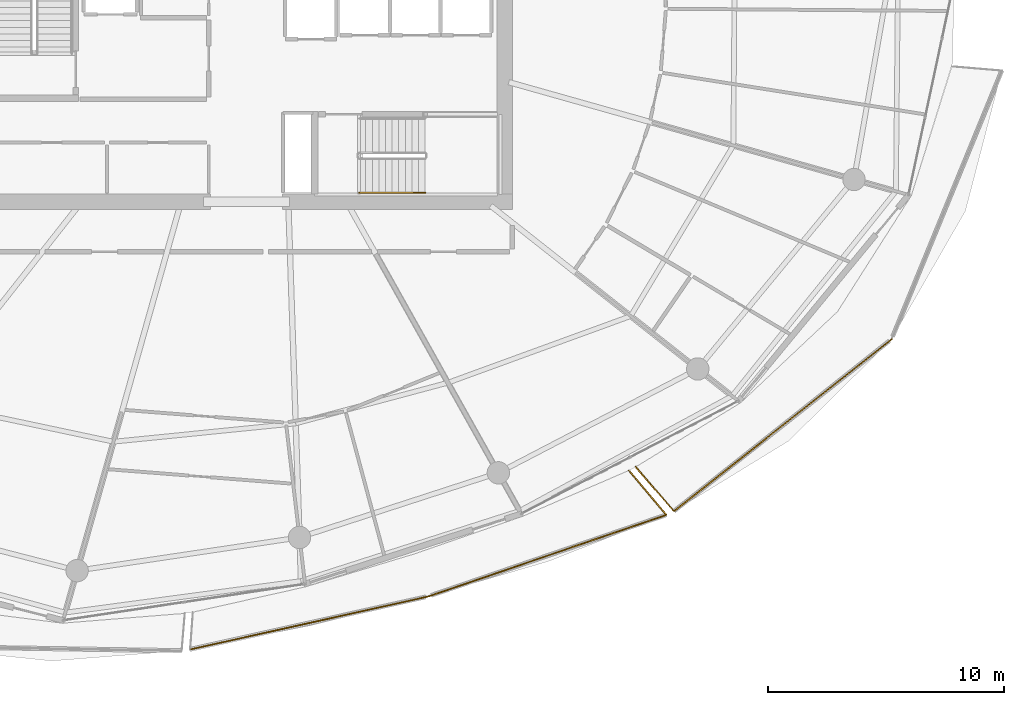
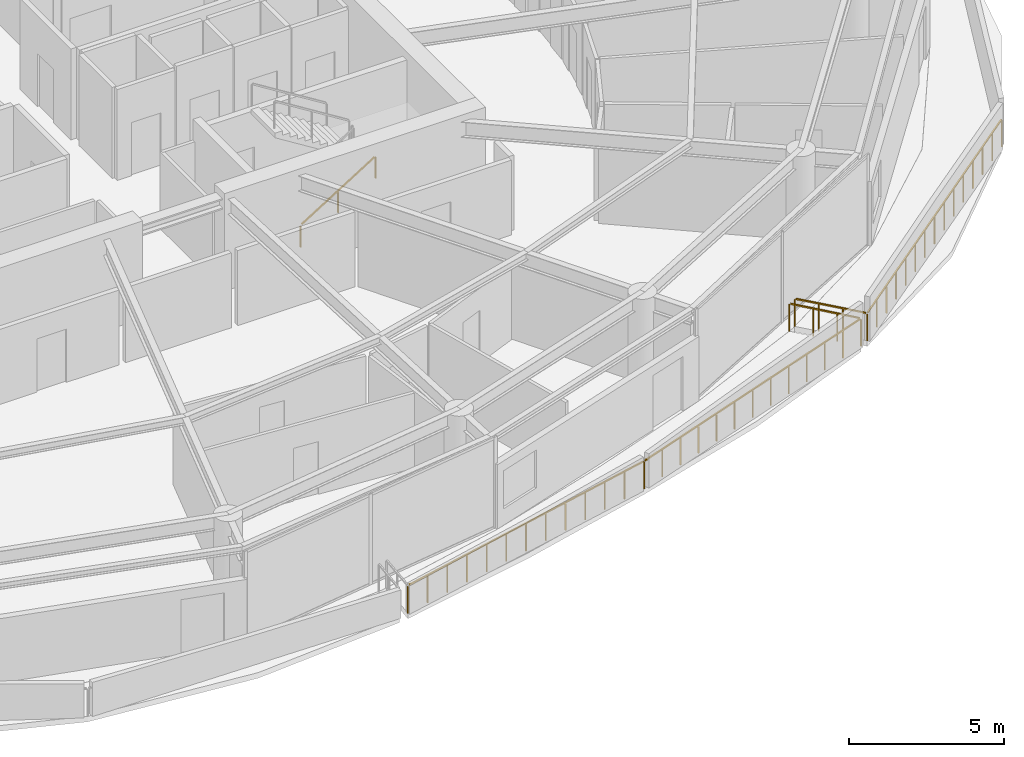
# One storey, part 25 of 29: 6 railings.
"""IFC4 building model written with IfcOpenShell, lengths in metres."""

from ifc_helpers import new_model, si_unit, direction, frame, origin, origin_2d, place, context, subcontext, project, spatial, rectangle, extrude, material, type_object, element, save


model = new_model("IFC4")

# Units and contexts
model_context = context("Model", 3, precision=1e-05, world=origin(), true_north=direction((0.0, 1.0)))
body_context = subcontext(model_context, "Body", "Model", "MODEL_VIEW")
ifc_project = project(units=[si_unit("LENGTHUNIT", "METRE"), si_unit("AREAUNIT", "SQUARE_METRE"), si_unit("VOLUMEUNIT", "CUBIC_METRE"), si_unit("PLANEANGLEUNIT", "RADIAN"), si_unit("MASSUNIT", "GRAM", prefix="KILO")], contexts=[model_context])

# Site, building, storey
site_placement = place(None, origin())
site = spatial("IfcSite", under=ifc_project, at=site_placement, CompositionType="ELEMENT")
building_placement = place(site_placement, origin())
building = spatial("IfcBuilding", under=site, at=building_placement, Name="Kazma Halo Residences", CompositionType="ELEMENT")
storey_placement = place(building_placement, frame((0.0, 0.0, 252.10009765625)))
storey = spatial("IfcBuildingStorey", under=building, at=storey_placement, Name="L63", CompositionType="ELEMENT", Elevation=252.10009765625)

# Railings
ifc_material_1 = material(Name="Aluminium AW-6063 T6 Brushed Cap Rail", Category="aluminium")
railing_type_1 = type_object("IfcRailingType", Name="RLG-BAL-CAP-1120", PredefinedType="BALUSTRADE", material=ifc_material_1)
railing_1_placement = place(storey_placement, frame((46.01708984375, 14.672607421875, 0.0)))
element("IfcRailing", 1, at=railing_1_placement, inside=storey, type_object=railing_type_1, Name="L63 SSE wave balcony guard 2", PredefinedType="BALUSTRADE", context=body_context, shape_type="SweptSolid", body=[
    extrude(rectangle(XDim=0.050048828125, YDim=0.050048828125, at=origin_2d()), frame((0.04150390625, 0.00927734375, 1.09521484375), z_axis=(0.976128347195, 0.217194497633, 0.0), x_axis=(-0.217194497633, 0.976128347195, 0.0)), (0.0, 0.0, 1.0), 10.292236328125),
    extrude(rectangle(XDim=0.0400390625, YDim=0.0400390625, at=origin_2d()), origin(), (0.0, 0.0, 1.0), 1.05810546875),
    extrude(rectangle(XDim=0.0400390625, YDim=0.0400390625, at=origin_2d()), frame((0.84423828125, 0.187744140625, 0.0)), (0.0, 0.0, 1.0), 1.05810546875),
    extrude(rectangle(XDim=0.0400390625, YDim=0.0400390625, at=origin_2d()), frame((1.688232421875, 0.375732421875, 0.0)), (0.0, 0.0, 1.0), 1.05810546875),
    extrude(rectangle(XDim=0.0400390625, YDim=0.0400390625, at=origin_2d()), frame((2.532470703125, 0.5634765625, 0.0)), (0.0, 0.0, 1.0), 1.05810546875),
    extrude(rectangle(XDim=0.0400390625, YDim=0.0400390625, at=origin_2d()), frame((3.37646484375, 0.751220703125, 0.0)), (0.0, 0.0, 1.0), 1.05810546875),
    extrude(rectangle(XDim=0.0400390625, YDim=0.0400390625, at=origin_2d()), frame((4.220703125, 0.939208984375, 0.0)), (0.0, 0.0, 1.0), 1.05810546875),
    extrude(rectangle(XDim=0.0400390625, YDim=0.0400390625, at=origin_2d()), frame((5.06494140625, 1.126953125, 0.0)), (0.0, 0.0, 1.0), 1.05810546875),
    extrude(rectangle(XDim=0.0400390625, YDim=0.0400390625, at=origin_2d()), frame((5.908935546875, 1.314697265625, 0.0)), (0.0, 0.0, 1.0), 1.05810546875),
    extrude(rectangle(XDim=0.0400390625, YDim=0.0400390625, at=origin_2d()), frame((6.753173828125, 1.502685546875, 0.0)), (0.0, 0.0, 1.0), 1.05810546875),
    extrude(rectangle(XDim=0.0400390625, YDim=0.0400390625, at=origin_2d()), frame((7.59716796875, 1.6904296875, 0.0)), (0.0, 0.0, 1.0), 1.05810546875),
    extrude(rectangle(XDim=0.0400390625, YDim=0.0400390625, at=origin_2d()), frame((8.44140625, 1.878173828125, 0.0)), (0.0, 0.0, 1.0), 1.05810546875),
    extrude(rectangle(XDim=0.0400390625, YDim=0.0400390625, at=origin_2d()), frame((9.285400390625, 2.066162109375, 0.0)), (0.0, 0.0, 1.0), 1.05810546875),
    extrude(rectangle(XDim=0.0400390625, YDim=0.0400390625, at=origin_2d()), frame((10.129638671875, 2.25390625, 0.0)), (0.0, 0.0, 1.0), 1.05810546875),
])
railing_2_placement = place(storey_placement, frame((56.146728515625, 16.926513671875, 0.0)))
element("IfcRailing", 2, at=railing_2_placement, inside=storey, type_object=railing_type_1, Name="L63 SSE wave balcony guard 3", PredefinedType="BALUSTRADE", context=body_context, shape_type="SweptSolid", body=[
    extrude(rectangle(XDim=0.050048828125, YDim=0.050048828125, at=origin_2d()), frame((0.040283203125, 0.013671875, 1.09521484375), z_axis=(0.945989483895, 0.324197310845, 0.0), x_axis=(-0.324197310845, 0.945989483895, 0.0)), (0.0, 0.0, 1.0), 10.5791015625),
    extrude(rectangle(XDim=0.0400390625, YDim=0.0400390625, at=origin_2d()), origin(), (0.0, 0.0, 1.0), 1.05810546875),
    extrude(rectangle(XDim=0.0400390625, YDim=0.0400390625, at=origin_2d()), frame((0.840576171875, 0.2880859375, 0.0)), (0.0, 0.0, 1.0), 1.05810546875),
    extrude(rectangle(XDim=0.0400390625, YDim=0.0400390625, at=origin_2d()), frame((1.681396484375, 0.576171875, 0.0)), (0.0, 0.0, 1.0), 1.05810546875),
    extrude(rectangle(XDim=0.0400390625, YDim=0.0400390625, at=origin_2d()), frame((2.52197265625, 0.8642578125, 0.0)), (0.0, 0.0, 1.0), 1.05810546875),
    extrude(rectangle(XDim=0.0400390625, YDim=0.0400390625, at=origin_2d()), frame((3.36279296875, 1.15234375, 0.0)), (0.0, 0.0, 1.0), 1.05810546875),
    extrude(rectangle(XDim=0.0400390625, YDim=0.0400390625, at=origin_2d()), frame((4.203369140625, 1.4404296875, 0.0)), (0.0, 0.0, 1.0), 1.05810546875),
    extrude(rectangle(XDim=0.0400390625, YDim=0.0400390625, at=origin_2d()), frame((5.0439453125, 1.728515625, 0.0)), (0.0, 0.0, 1.0), 1.05810546875),
    extrude(rectangle(XDim=0.0400390625, YDim=0.0400390625, at=origin_2d()), frame((5.884765625, 2.016845703125, 0.0)), (0.0, 0.0, 1.0), 1.05810546875),
    extrude(rectangle(XDim=0.0400390625, YDim=0.0400390625, at=origin_2d()), frame((6.725341796875, 2.304931640625, 0.0)), (0.0, 0.0, 1.0), 1.05810546875),
    extrude(rectangle(XDim=0.0400390625, YDim=0.0400390625, at=origin_2d()), frame((7.566162109375, 2.593017578125, 0.0)), (0.0, 0.0, 1.0), 1.05810546875),
    extrude(rectangle(XDim=0.0400390625, YDim=0.0400390625, at=origin_2d()), frame((8.40673828125, 2.881103515625, 0.0)), (0.0, 0.0, 1.0), 1.05810546875),
    extrude(rectangle(XDim=0.0400390625, YDim=0.0400390625, at=origin_2d()), frame((9.24755859375, 3.169189453125, 0.0)), (0.0, 0.0, 1.0), 1.05810546875),
    extrude(rectangle(XDim=0.0400390625, YDim=0.0400390625, at=origin_2d()), frame((10.088134765625, 3.457275390625, 0.0)), (0.0, 0.0, 1.0), 1.05810546875),
])
railing_3_placement = place(storey_placement, frame((66.23486328125, 20.3837890625, 0.0)))
element("IfcRailing", 3, at=railing_3_placement, inside=storey, type_object=railing_type_1, Name="L63 SSE wave balcony guard 4", PredefinedType="BALUSTRADE", context=body_context, shape_type="SweptSolid", body=[
    extrude(rectangle(XDim=0.050048828125, YDim=0.050048828125, at=origin_2d()), frame((-0.02734375, 0.032470703125, 1.09521484375), z_axis=(-0.644836604623, 0.764320451995, 0.0), x_axis=(-0.764320451995, -0.644836604623, 0.0)), (0.0, 0.0, 1.0), 2.381103515625),
    extrude(rectangle(XDim=0.0400390625, YDim=0.0400390625, at=origin_2d()), origin(), (0.0, 0.0, 1.0), 1.05810546875),
    extrude(rectangle(XDim=0.0400390625, YDim=0.0400390625, at=origin_2d()), frame((-0.530029296875, 0.62841796875, 0.0)), (0.0, 0.0, 1.0), 1.05810546875),
    extrude(rectangle(XDim=0.0400390625, YDim=0.0400390625, at=origin_2d()), frame((-1.060302734375, 1.256591796875, 0.0)), (0.0, 0.0, 1.0), 1.05810546875),
    extrude(rectangle(XDim=0.0400390625, YDim=0.0400390625, at=origin_2d()), frame((-1.59033203125, 1.885009765625, 0.0)), (0.0, 0.0, 1.0), 1.05810546875),
])
railing_4_placement = place(storey_placement, frame((64.93212890625, 22.41845703125, 0.0)))
element("IfcRailing", 4, at=railing_4_placement, inside=storey, type_object=railing_type_1, Name="L63 SE wave balcony guard 1", PredefinedType="BALUSTRADE", context=body_context, shape_type="SweptSolid", body=[
    extrude(rectangle(XDim=0.050048828125, YDim=0.050048828125, at=origin_2d()), frame((0.02783203125, -0.0322265625, 1.09521484375), z_axis=(0.65405468869, -0.756447264654, 0.0), x_axis=(0.756447264654, 0.65405468869, 0.0)), (0.0, 0.0, 1.0), 2.3994140625),
    extrude(rectangle(XDim=0.0400390625, YDim=0.0400390625, at=origin_2d()), origin(), (0.0, 0.0, 1.0), 1.05810546875),
    extrude(rectangle(XDim=0.0400390625, YDim=0.0400390625, at=origin_2d()), frame((0.541748046875, -0.62646484375, 0.0)), (0.0, 0.0, 1.0), 1.05810546875),
    extrude(rectangle(XDim=0.0400390625, YDim=0.0400390625, at=origin_2d()), frame((1.083251953125, -1.2529296875, 0.0)), (0.0, 0.0, 1.0), 1.05810546875),
    extrude(rectangle(XDim=0.0400390625, YDim=0.0400390625, at=origin_2d()), frame((1.625, -1.87939453125, 0.0)), (0.0, 0.0, 1.0), 1.05810546875),
])
railing_5_placement = place(storey_placement, frame((66.55712890625, 20.5390625, 0.0)))
element("IfcRailing", 5, at=railing_5_placement, inside=storey, type_object=railing_type_1, Name="L63 SE wave balcony guard 2", PredefinedType="BALUSTRADE", context=body_context, shape_type="SweptSolid", body=[
    extrude(rectangle(XDim=0.050048828125, YDim=0.050048828125, at=origin_2d()), frame((0.033447265625, 0.0263671875, 1.09521484375), z_axis=(0.784537591948, 0.62008125824, 0.0), x_axis=(-0.62008125824, 0.784537591948, 0.0)), (0.0, 0.0, 1.0), 11.687255859375),
    extrude(rectangle(XDim=0.0400390625, YDim=0.0400390625, at=origin_2d()), origin(), (0.0, 0.0, 1.0), 1.05810546875),
    extrude(rectangle(XDim=0.0400390625, YDim=0.0400390625, at=origin_2d()), frame((0.65966796875, 0.521484375, 0.0)), (0.0, 0.0, 1.0), 1.05810546875),
    extrude(rectangle(XDim=0.0400390625, YDim=0.0400390625, at=origin_2d()), frame((1.3193359375, 1.042724609375, 0.0)), (0.0, 0.0, 1.0), 1.05810546875),
    extrude(rectangle(XDim=0.0400390625, YDim=0.0400390625, at=origin_2d()), frame((1.97900390625, 1.564208984375, 0.0)), (0.0, 0.0, 1.0), 1.05810546875),
    extrude(rectangle(XDim=0.0400390625, YDim=0.0400390625, at=origin_2d()), frame((2.638916015625, 2.085693359375, 0.0)), (0.0, 0.0, 1.0), 1.05810546875),
    extrude(rectangle(XDim=0.0400390625, YDim=0.0400390625, at=origin_2d()), frame((3.298583984375, 2.607177734375, 0.0)), (0.0, 0.0, 1.0), 1.05810546875),
    extrude(rectangle(XDim=0.0400390625, YDim=0.0400390625, at=origin_2d()), frame((3.958251953125, 3.12841796875, 0.0)), (0.0, 0.0, 1.0), 1.05810546875),
    extrude(rectangle(XDim=0.0400390625, YDim=0.0400390625, at=origin_2d()), frame((4.617919921875, 3.64990234375, 0.0)), (0.0, 0.0, 1.0), 1.05810546875),
    extrude(rectangle(XDim=0.0400390625, YDim=0.0400390625, at=origin_2d()), frame((5.277587890625, 4.17138671875, 0.0)), (0.0, 0.0, 1.0), 1.05810546875),
    extrude(rectangle(XDim=0.0400390625, YDim=0.0400390625, at=origin_2d()), frame((5.937255859375, 4.692626953125, 0.0)), (0.0, 0.0, 1.0), 1.05810546875),
    extrude(rectangle(XDim=0.0400390625, YDim=0.0400390625, at=origin_2d()), frame((6.596923828125, 5.214111328125, 0.0)), (0.0, 0.0, 1.0), 1.05810546875),
    extrude(rectangle(XDim=0.0400390625, YDim=0.0400390625, at=origin_2d()), frame((7.2568359375, 5.735595703125, 0.0)), (0.0, 0.0, 1.0), 1.05810546875),
    extrude(rectangle(XDim=0.0400390625, YDim=0.0400390625, at=origin_2d()), frame((7.91650390625, 6.257080078125, 0.0)), (0.0, 0.0, 1.0), 1.05810546875),
    extrude(rectangle(XDim=0.0400390625, YDim=0.0400390625, at=origin_2d()), frame((8.576171875, 6.7783203125, 0.0)), (0.0, 0.0, 1.0), 1.05810546875),
    extrude(rectangle(XDim=0.0400390625, YDim=0.0400390625, at=origin_2d()), frame((9.23583984375, 7.2998046875, 0.0)), (0.0, 0.0, 1.0), 1.05810546875),
])
ifc_material_2 = material(Name="Brushed Stainless Steel", Category="steel")
railing_type_2 = type_object("IfcRailingType", Name="RLG-STAIR-HND-900", PredefinedType="HANDRAIL", material=ifc_material_2)
railing_6_placement = place(storey_placement, frame((53.199951171875, 34.050048828125, 0.1748046875)))
element("IfcRailing", 6, at=railing_6_placement, inside=storey, type_object=railing_type_2, Name="L63 ST-03 stair handrail 1", PredefinedType="HANDRAIL", context=body_context, shape_type="SweptSolid", body=[
    extrude(rectangle(XDim=0.050048828125, YDim=0.050048828125, at=origin_2d()), frame((0.0361328125, 0.0, 0.8974609375), z_axis=(0.848002457836, 0.0, 0.529992293815), x_axis=(0.0, 1.0, 0.0)), (0.0, 0.0, 1.0), 3.216796875),
    extrude(rectangle(XDim=0.0400390625, YDim=0.0400390625, at=origin_2d()), origin(), (0.0, 0.0, 1.0), 0.837890625),
    extrude(rectangle(XDim=0.0400390625, YDim=0.0400390625, at=origin_2d()), frame((1.39990234375, 0.0, 0.875)), (0.0, 0.0, 1.0), 0.837890625),
    extrude(rectangle(XDim=0.0400390625, YDim=0.0400390625, at=origin_2d()), frame((2.800048828125, 0.0, 1.75)), (0.0, 0.0, 1.0), 0.837890625),
])

save(model, "model.ifc")
